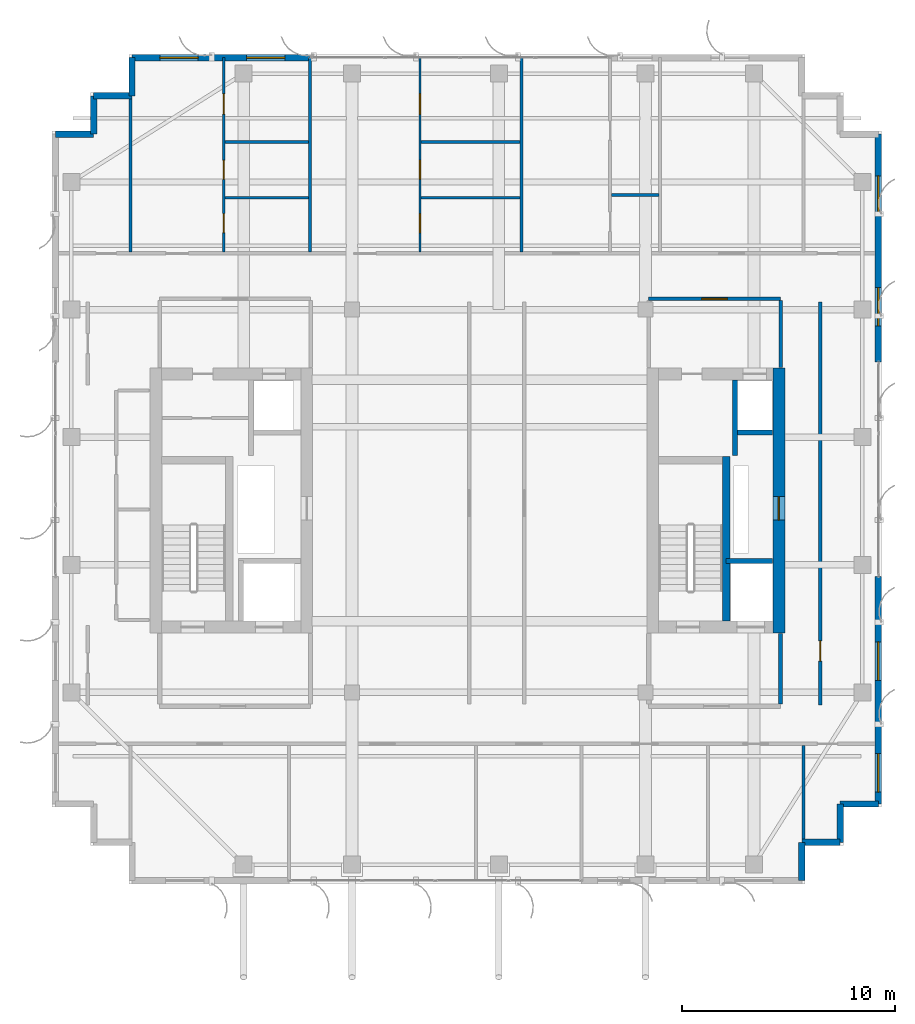
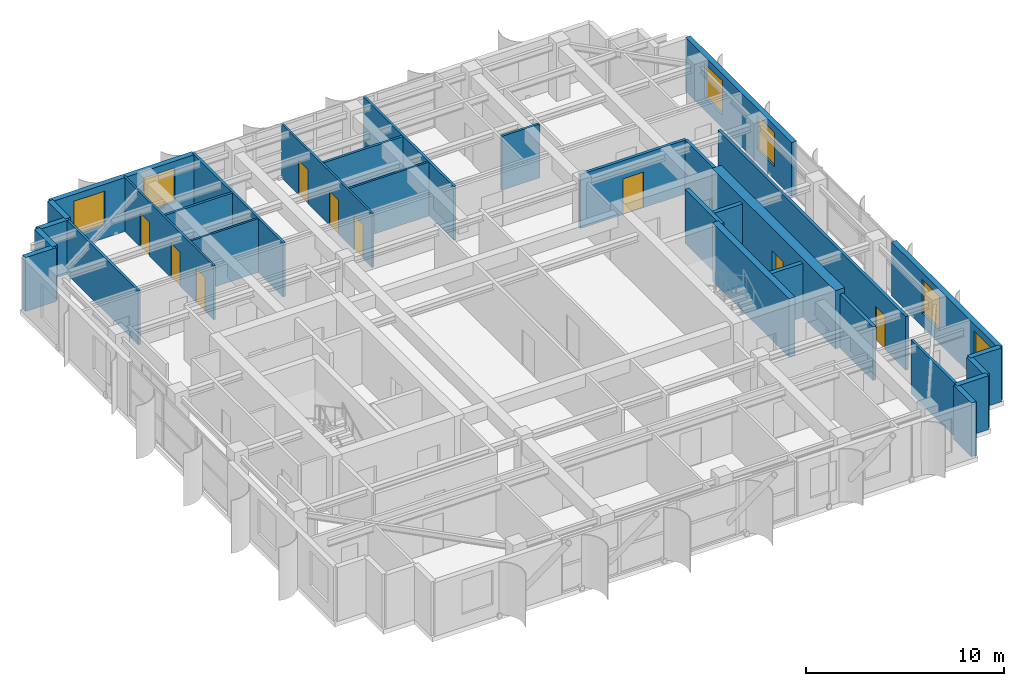
# One storey, part 19 of 22: 31 walls, 9 doors, 6 windows, 15 openings.
"""IFC4 building model written with IfcOpenShell, lengths in metres."""

from ifc_helpers import new_model, si_unit, direction, frame, frame_2d, origin, place, context, subcontext, project, spatial, rectangle, extrude, source, transform, mapped, material, layer, layer_set, type_object, element, fill, save


model = new_model("IFC4")

# Units and contexts
model_context = context("Model", 3, precision=1e-05, world=origin(), true_north=direction((0.0, 1.0)))
body_context = subcontext(model_context, "Body", "Model", "MODEL_VIEW")
ifc_project = project(units=[si_unit("LENGTHUNIT", "METRE"), si_unit("AREAUNIT", "SQUARE_METRE"), si_unit("VOLUMEUNIT", "CUBIC_METRE"), si_unit("PLANEANGLEUNIT", "RADIAN"), si_unit("MASSUNIT", "GRAM", prefix="KILO")], contexts=[model_context])

# Site, building, storey
site_placement = place(None, origin())
site = spatial("IfcSite", under=ifc_project, at=site_placement, CompositionType="ELEMENT")
building_placement = place(site_placement, origin())
building = spatial("IfcBuilding", under=site, at=building_placement, Name="Khoralis Quay Care Tower", CompositionType="ELEMENT")
storey_placement = place(building_placement, frame((0.0, 0.0, 278.10009765625)))
storey = spatial("IfcBuildingStorey", under=building, at=storey_placement, Name="L73", CompositionType="ELEMENT", Elevation=278.10009765625)

# Wall
ifc_material_1 = material(Name="Gypsum plasterboard on acoustic metal stud")
ifc_layer_1 = layer(ifc_material_1, 0.199951171875)
ifc_layer_set_1 = layer_set([ifc_layer_1], Name="Gypsum plasterboard on acoustic metal stud")
wall_type_1 = type_object("IfcWallType", Name="WL-COMP-200", PredefinedType="PARTITIONING", material=ifc_layer_set_1)
wall_1_placement = place(storey_placement, frame((37.25, 11.445068359375, 0.0), z_axis=(0.0, 0.0, 1.0), x_axis=(0.0, 1.0, 0.0)))
element("IfcWall", 1, at=wall_1_placement, inside=storey, type_object=wall_type_1, Name="L73 East Firefighting Lobby East Wall", PredefinedType="PARTITIONING", context=body_context, shape_type="SweptSolid", body=[
    extrude(rectangle(XDim=3.3349609375, YDim=0.199951171875, at=frame_2d((1.66748046875, 0.0))), origin(), (0.0, 0.0, 1.0), 3.31982421875),
])

# Wall, opening, door
ifc_material_2 = material(Name="Concrete C65/80", Category="concrete")
ifc_layer_2 = layer(ifc_material_2, 0.550048828125)
ifc_layer_set_2 = layer_set([ifc_layer_2], Name="Concrete C65/80")
wall_type_2 = type_object("IfcWallType", Name="WL-CORE-550", PredefinedType="SHEAR", material=ifc_layer_set_2)
wall_2_placement = place(storey_placement, frame((37.175048828125, 14.800048828125, 0.0), z_axis=(0.0, 0.0, 1.0), x_axis=(0.0, 1.0, 0.0)))
wall_2 = element("IfcWall", 2, at=wall_2_placement, inside=storey, type_object=wall_type_2, Name="L73 ECORE East Shear Wall", PredefinedType="SHEAR", context=body_context, shape_type="SweptSolid", body=[
    extrude(rectangle(XDim=12.449951171875, YDim=0.550048828125, at=frame_2d((6.22509765625, 0.0))), origin(), (0.0, 0.0, 1.0), 3.599853515625),
])
opening_1_placement = place(wall_2_placement, frame((5.300048828125, 0.0, 0.0)))
opening_1 = element("IfcOpeningElement", 3, at=opening_1_placement, cuts=wall_2, Name="Opening SD1", PredefinedType="OPENING", context=body_context, shape_type="SweptSolid", body=[
    extrude(rectangle(XDim=1.10009765625, YDim=2.199951171875, at=frame_2d((0.550048828125, 1.10009765625))), frame((0.0, 0.28515625, 0.0), z_axis=(0.0, -1.0, 0.0), x_axis=(1.0, 0.0, 0.0)), (0.0, 0.0, 1.0), 0.570068359375),
])
ifc_material_3 = material(Name="Fire-rated painted steel", Category="steel")
door_type_1 = type_object("IfcDoorType", Name="DR-STAIR-1100X2200", OperationType="NOTDEFINED", PredefinedType="DOOR", material=ifc_material_3)
shared_shape_1 = source(origin(), body_context, "Body", "SweptSolid", [
    extrude(rectangle(XDim=1.10009765625, YDim=2.199951171875, at=frame_2d((0.550048828125, 1.10009765625))), frame((0.0, 0.02490234375, 0.0), z_axis=(0.0, -1.0, 0.0), x_axis=(1.0, 0.0, 0.0)), (0.0, 0.0, 1.0), 0.050048828125),
])
door_1_placement = place(opening_1_placement, frame((1.10009765625, 0.0, 0.0), z_axis=(0.0, 0.0, 1.0), x_axis=(-1.0, 0.0, 0.0)))
door_1 = element("IfcDoor", 4, at=door_1_placement, inside=storey, type_object=door_type_1, Name="L73 East MEP Riser Door", OperationType="SINGLE_SWING_RIGHT", OverallHeight=2.199951171875, OverallWidth=1.10009765625, PredefinedType="DOOR", context=body_context, shape_type="MappedRepresentation", body=[
    mapped(shared_shape_1, transform((0.0, 0.0, 0.0), scale=1.0)),
])
fill(opening_1, door_1)

ifc_layer_3 = layer(ifc_material_1, 0.1650390625)
ifc_layer_set_3 = layer_set([ifc_layer_3], Name="Gypsum plasterboard on acoustic metal stud")
wall_type_3 = type_object("IfcWallType", Name="WL-CORR-165", PredefinedType="PARTITIONING", material=ifc_layer_set_3)
wall_3_placement = place(storey_placement, frame((31.050048828125, 30.5, 0.0), z_axis=(0.0, 0.0, 1.0), x_axis=(1.0, 0.0, 0.0)))
wall_3 = element("IfcWall", 5, at=wall_3_placement, inside=storey, type_object=wall_type_3, Name="L73 East Lift Lobby North Wall", PredefinedType="PARTITIONING", context=body_context, shape_type="SweptSolid", body=[
    extrude(rectangle(XDim=6.199951171875, YDim=0.1650390625, at=frame_2d((3.10009765625, 0.0))), origin(), (0.0, 0.0, 1.0), 3.31982421875),
])
opening_2_placement = place(wall_3_placement, frame((2.5, 0.0, 0.0)))
opening_2 = element("IfcOpeningElement", 6, at=opening_2_placement, cuts=wall_3, Name="Opening FD1", PredefinedType="OPENING", context=body_context, shape_type="SweptSolid", body=[
    extrude(rectangle(XDim=1.199951171875, YDim=2.199951171875, at=frame_2d((0.60009765625, 1.10009765625))), frame((0.0, 0.092529296875, 0.0), z_axis=(0.0, -1.0, 0.0), x_axis=(1.0, 0.0, 0.0)), (0.0, 0.0, 1.0), 0.18505859375),
])
door_type_2 = type_object("IfcDoorType", Name="DR-FFL-1200X2200", OperationType="NOTDEFINED", PredefinedType="DOOR", material=ifc_material_3)
shared_shape_2 = source(origin(), body_context, "Body", "SweptSolid", [
    extrude(rectangle(XDim=1.199951171875, YDim=2.199951171875, at=frame_2d((0.60009765625, 1.10009765625))), frame((0.0, 0.02490234375, 0.0), z_axis=(0.0, -1.0, 0.0), x_axis=(1.0, 0.0, 0.0)), (0.0, 0.0, 1.0), 0.050048828125),
])
door_2_placement = place(opening_2_placement, origin())
door_2 = element("IfcDoor", 7, at=door_2_placement, inside=storey, type_object=door_type_2, Name="L73 East Lift Lobby Double Door", OperationType="DOUBLE_DOOR_SINGLE_SWING", OverallHeight=2.199951171875, OverallWidth=1.199951171875, PredefinedType="DOOR", context=body_context, shape_type="MappedRepresentation", body=[
    mapped(shared_shape_2, transform((0.0, 0.0, 0.0), scale=1.0)),
])
fill(opening_2, door_2)

# Wall
wall_4_placement = place(storey_placement, frame((37.25, 27.27001953125, 0.0), z_axis=(0.0, 0.0, 1.0), x_axis=(0.0, 1.0, 0.0)))
element("IfcWall", 8, at=wall_4_placement, inside=storey, type_object=wall_type_3, Name="L73 East Lift Lobby East Wall", PredefinedType="PARTITIONING", context=body_context, shape_type="SweptSolid", body=[
    extrude(rectangle(XDim=3.152587890625, YDim=0.1650390625, at=frame_2d((1.576171875, 0.0))), origin(), (0.0, 0.0, 1.0), 3.31982421875),
])

# Wall, opening, door
wall_5_placement = place(storey_placement, frame((39.1201171875, 11.39990234375, 0.0), z_axis=(0.0, 0.0, 1.0), x_axis=(0.0, 1.0, 0.0)))
wall_5 = element("IfcWall", 9, at=wall_5_placement, inside=storey, type_object=wall_type_3, Name="L73 East Sky Suite Wall", PredefinedType="PARTITIONING", context=body_context, shape_type="SweptSolid", body=[
    extrude(rectangle(XDim=18.9501953125, YDim=0.1650390625, at=frame_2d((9.47509765625, 0.0))), origin(), (0.0, 0.0, 1.0), 3.31982421875),
])
opening_3_placement = place(wall_5_placement, frame((2.074951171875, 0.0, 0.0)))
opening_3 = element("IfcOpeningElement", 10, at=opening_3_placement, cuts=wall_5, Name="Opening ID1", PredefinedType="OPENING", context=body_context, shape_type="SweptSolid", body=[
    extrude(rectangle(XDim=0.949951171875, YDim=2.10009765625, at=frame_2d((0.47509765625, 1.050048828125))), frame((0.0, 0.092529296875, 0.0), z_axis=(0.0, -1.0, 0.0), x_axis=(1.0, 0.0, 0.0)), (0.0, 0.0, 1.0), 0.18505859375),
])
ifc_material_4 = material(Name="Acoustic hardwood timber", Category="wood")
door_type_3 = type_object("IfcDoorType", Name="DR-ROOM-950X2100", OperationType="NOTDEFINED", PredefinedType="DOOR", material=ifc_material_4)
shared_shape_3 = source(origin(), body_context, "Body", "SweptSolid", [
    extrude(rectangle(XDim=0.949951171875, YDim=2.10009765625, at=frame_2d((0.47509765625, 1.050048828125))), frame((0.0, 0.02490234375, 0.0), z_axis=(0.0, -1.0, 0.0), x_axis=(1.0, 0.0, 0.0)), (0.0, 0.0, 1.0), 0.050048828125),
])
door_3_placement = place(opening_3_placement, origin())
door_3 = element("IfcDoor", 11, at=door_3_placement, inside=storey, type_object=door_type_3, Name="L73 East Suite Door", OperationType="SINGLE_SWING_RIGHT", OverallHeight=2.10009765625, OverallWidth=0.949951171875, PredefinedType="DOOR", context=body_context, shape_type="MappedRepresentation", body=[
    mapped(shared_shape_3, transform((0.0, 0.0, 0.0), scale=1.0)),
])
fill(opening_3, door_3)

# Walls
ifc_material_5 = material(Name="Precast concrete C45/55", Category="concrete")
ifc_layer_4 = layer(ifc_material_5, 0.300048828125)
ifc_layer_set_4 = layer_set([ifc_layer_4], Name="Precast concrete C45/55")
wall_type_4 = type_object("IfcWallType", Name="WL-EXT-REF-300", PredefinedType="SOLIDWALL", material=ifc_layer_set_4)
for number, where, z_axis, x_axis, name in (
    (12, (38.25, 3.14990234375, 0.0), (0.0, 0.0, 1.0), (0.0, 1.0, 0.0), "L73 External Facade Wall WL-EXT-L73-P1-C1"),
    (13, (38.25, 4.949951171875, 0.0), (0.0, 0.0, 1.0), (1.0, 0.0, 0.0), "L73 External Facade Wall WL-EXT-L73-P1-C2"),
    (14, (40.050048828125, 4.949951171875, 0.0), (0.0, 0.0, 1.0), (0.0, 1.0, 0.0), "L73 External Facade Wall WL-EXT-L73-P1-C3"),
    (15, (40.050048828125, 6.75, 0.0), (0.0, 0.0, 1.0), (1.0, 0.0, 0.0), "L73 External Facade Wall WL-EXT-L73-P1-C4"),
):
    element("IfcWall", number, at=place(storey_placement, frame(where, z_axis=z_axis, x_axis=x_axis)), inside=storey, type_object=wall_type_4, Name=name, PredefinedType="SOLIDWALL", context=body_context, shape_type="SweptSolid", body=[
        extrude(rectangle(XDim=1.800048828125, YDim=0.300048828125, at=frame_2d((0.89990234375, 0.0))), origin(), (0.0, 0.0, 1.0), 3.31982421875),
    ])

# Wall, openings, windows
wall_6_placement = place(storey_placement, frame((41.85009765625, 6.75, 0.0), z_axis=(0.0, 0.0, 1.0), x_axis=(0.0, 1.0, 0.0)))
wall_6 = element("IfcWall", 16, at=wall_6_placement, inside=storey, type_object=wall_type_4, Name="L73 External Facade Wall WL-EXT-L73-P1-E5A", PredefinedType="SOLIDWALL", context=body_context, shape_type="SweptSolid", body=[
    extrude(rectangle(XDim=10.7099609375, YDim=0.300048828125, at=frame_2d((5.35498046875, 0.0))), origin(), (0.0, 0.0, 1.0), 3.31982421875),
])
opening_4_placement = place(wall_6_placement, frame((0.56494140625, 0.0, 0.800048828125)))
opening_4 = element("IfcOpeningElement", 17, at=opening_4_placement, cuts=wall_6, Name="Opening W2", PredefinedType="OPENING", context=body_context, shape_type="SweptSolid", body=[
    extrude(rectangle(XDim=1.800048828125, YDim=2.10009765625, at=frame_2d((0.89990234375, 1.050048828125))), frame((0.0, 0.16015625, 0.0), z_axis=(0.0, -1.0, 0.0), x_axis=(1.0, 0.0, 0.0)), (0.0, 0.0, 1.0), 0.320068359375),
])
opening_5_placement = place(wall_6_placement, frame((5.820068359375, 0.0, 0.800048828125)))
opening_5 = element("IfcOpeningElement", 18, at=opening_5_placement, cuts=wall_6, Name="Opening W2", PredefinedType="OPENING", context=body_context, shape_type="SweptSolid", body=[
    extrude(rectangle(XDim=1.800048828125, YDim=2.10009765625, at=frame_2d((0.89990234375, 1.050048828125))), frame((0.0, 0.16015625, 0.0), z_axis=(0.0, -1.0, 0.0), x_axis=(1.0, 0.0, 0.0)), (0.0, 0.0, 1.0), 0.320068359375),
])
ifc_material_6 = material(Name="Low-E solar-control double glazing", Category="glass")
window_type = type_object("IfcWindowType", Name="WN-POD-1800X2100", PartitioningType="SINGLE_PANEL", PredefinedType="WINDOW", material=ifc_material_6)
shared_shape_4 = source(origin(), body_context, "Body", "SweptSolid", [
    extrude(rectangle(XDim=1.800048828125, YDim=2.10009765625, at=frame_2d((0.89990234375, 1.050048828125))), frame((0.0, 0.030029296875, 0.0), z_axis=(0.0, -1.0, 0.0), x_axis=(1.0, 0.0, 0.0)), (0.0, 0.0, 1.0), 0.06005859375),
])
window_1_placement = place(opening_4_placement, origin())
window_1 = element("IfcWindow", 19, at=window_1_placement, inside=storey, type_object=window_type, Name="WN-L73-P1-E5A Facade Window 01", OverallHeight=2.10009765625, OverallWidth=1.800048828125, PartitioningType="SINGLE_PANEL", PredefinedType="WINDOW", context=body_context, shape_type="MappedRepresentation", body=[
    mapped(shared_shape_4, transform((0.0, 0.0, 0.0), scale=1.0)),
])
fill(opening_4, window_1)
window_2_placement = place(opening_5_placement, origin())
window_2 = element("IfcWindow", 20, at=window_2_placement, inside=storey, type_object=window_type, Name="WN-L73-P1-E5A Facade Window 02", OverallHeight=2.10009765625, OverallWidth=1.800048828125, PartitioningType="SINGLE_PANEL", PredefinedType="WINDOW", context=body_context, shape_type="MappedRepresentation", body=[
    mapped(shared_shape_4, transform((0.0, 0.0, 0.0), scale=1.0)),
])
fill(opening_5, window_2)

wall_7_placement = place(storey_placement, frame((41.85009765625, 27.5400390625, 0.0), z_axis=(0.0, 0.0, 1.0), x_axis=(0.0, 1.0, 0.0)))
wall_7 = element("IfcWall", 21, at=wall_7_placement, inside=storey, type_object=wall_type_4, Name="L73 External Facade Wall WL-EXT-L73-P1-E5B", PredefinedType="SOLIDWALL", context=body_context, shape_type="SweptSolid", body=[
    extrude(rectangle(XDim=10.7099609375, YDim=0.300048828125, at=frame_2d((5.35498046875, 0.0))), origin(), (0.0, 0.0, 1.0), 3.31982421875),
])
opening_6_placement = place(wall_7_placement, frame((1.699951171875, 0.0, 0.800048828125)))
opening_6 = element("IfcOpeningElement", 22, at=opening_6_placement, cuts=wall_7, Name="Opening W2", PredefinedType="OPENING", context=body_context, shape_type="SweptSolid", body=[
    extrude(rectangle(XDim=1.800048828125, YDim=2.10009765625, at=frame_2d((0.89990234375, 1.050048828125))), frame((0.0, 0.16015625, 0.0), z_axis=(0.0, -1.0, 0.0), x_axis=(1.0, 0.0, 0.0)), (0.0, 0.0, 1.0), 0.320068359375),
])
opening_7_placement = place(wall_7_placement, frame((6.955078125, 0.0, 0.800048828125)))
opening_7 = element("IfcOpeningElement", 23, at=opening_7_placement, cuts=wall_7, Name="Opening W2", PredefinedType="OPENING", context=body_context, shape_type="SweptSolid", body=[
    extrude(rectangle(XDim=1.800048828125, YDim=2.10009765625, at=frame_2d((0.89990234375, 1.050048828125))), frame((0.0, 0.16015625, 0.0), z_axis=(0.0, -1.0, 0.0), x_axis=(1.0, 0.0, 0.0)), (0.0, 0.0, 1.0), 0.320068359375),
])
window_3_placement = place(opening_6_placement, origin())
window_3 = element("IfcWindow", 24, at=window_3_placement, inside=storey, type_object=window_type, Name="WN-L73-P1-E5B Facade Window 01", OverallHeight=2.10009765625, OverallWidth=1.800048828125, PartitioningType="SINGLE_PANEL", PredefinedType="WINDOW", context=body_context, shape_type="MappedRepresentation", body=[
    mapped(shared_shape_4, transform((0.0, 0.0, 0.0), scale=1.0)),
])
fill(opening_6, window_3)
window_4_placement = place(opening_7_placement, origin())
window_4 = element("IfcWindow", 25, at=window_4_placement, inside=storey, type_object=window_type, Name="WN-L73-P1-E5B Facade Window 02", OverallHeight=2.10009765625, OverallWidth=1.800048828125, PartitioningType="SINGLE_PANEL", PredefinedType="WINDOW", context=body_context, shape_type="MappedRepresentation", body=[
    mapped(shared_shape_4, transform((0.0, 0.0, 0.0), scale=1.0)),
])
fill(opening_7, window_4)

wall_8_placement = place(storey_placement, frame((15.1201171875, 41.85009765625, 0.0), z_axis=(0.0, 0.0, 1.0), x_axis=(-1.0, 0.0, 0.0)))
wall_8 = element("IfcWall", 26, at=wall_8_placement, inside=storey, type_object=wall_type_4, Name="L73 External Facade Wall WL-EXT-L73-P1-E10B", PredefinedType="SOLIDWALL", context=body_context, shape_type="SweptSolid", body=[
    extrude(rectangle(XDim=8.3701171875, YDim=0.300048828125, at=frame_2d((4.18505859375, 0.0))), origin(), (0.0, 0.0, 1.0), 3.31982421875),
])
opening_8_placement = place(wall_8_placement, frame((1.175537109375, 0.0, 0.800048828125)))
opening_8 = element("IfcOpeningElement", 27, at=opening_8_placement, cuts=wall_8, Name="Opening W2", PredefinedType="OPENING", context=body_context, shape_type="SweptSolid", body=[
    extrude(rectangle(XDim=1.800048828125, YDim=2.10009765625, at=frame_2d((0.89990234375, 1.050048828125))), frame((0.0, 0.16015625, 0.0), z_axis=(0.0, -1.0, 0.0), x_axis=(1.0, 0.0, 0.0)), (0.0, 0.0, 1.0), 0.320068359375),
])
opening_9_placement = place(wall_8_placement, frame((5.260498046875, 0.0, 0.800048828125)))
opening_9 = element("IfcOpeningElement", 28, at=opening_9_placement, cuts=wall_8, Name="Opening W2", PredefinedType="OPENING", context=body_context, shape_type="SweptSolid", body=[
    extrude(rectangle(XDim=1.800048828125, YDim=2.10009765625, at=frame_2d((0.89990234375, 1.050048828125))), frame((0.0, 0.16015625, 0.0), z_axis=(0.0, -1.0, 0.0), x_axis=(1.0, 0.0, 0.0)), (0.0, 0.0, 1.0), 0.320068359375),
])
window_5_placement = place(opening_8_placement, origin())
window_5 = element("IfcWindow", 29, at=window_5_placement, inside=storey, type_object=window_type, Name="WN-L73-P1-E10B Facade Window 01", OverallHeight=2.10009765625, OverallWidth=1.800048828125, PartitioningType="SINGLE_PANEL", PredefinedType="WINDOW", context=body_context, shape_type="MappedRepresentation", body=[
    mapped(shared_shape_4, transform((0.0, 0.0, 0.0), scale=1.0)),
])
fill(opening_8, window_5)
window_6_placement = place(opening_9_placement, origin())
window_6 = element("IfcWindow", 30, at=window_6_placement, inside=storey, type_object=window_type, Name="WN-L73-P1-E10B Facade Window 02", OverallHeight=2.10009765625, OverallWidth=1.800048828125, PartitioningType="SINGLE_PANEL", PredefinedType="WINDOW", context=body_context, shape_type="MappedRepresentation", body=[
    mapped(shared_shape_4, transform((0.0, 0.0, 0.0), scale=1.0)),
])
fill(opening_9, window_6)

# Walls
for number, where, z_axis, x_axis, name in (
    (31, (6.75, 41.85009765625, 0.0), (0.0, 0.0, 1.0), (0.0, -1.0, 0.0), "L73 External Facade Wall WL-EXT-L73-P1-C11"),
    (32, (6.75, 40.050048828125, 0.0), (0.0, 0.0, 1.0), (-1.0, 0.0, 0.0), "L73 External Facade Wall WL-EXT-L73-P1-C12"),
    (33, (4.949951171875, 40.050048828125, 0.0), (0.0, 0.0, 1.0), (0.0, -1.0, 0.0), "L73 External Facade Wall WL-EXT-L73-P1-C13"),
    (34, (4.949951171875, 38.25, 0.0), (0.0, 0.0, 1.0), (-1.0, 0.0, 0.0), "L73 External Facade Wall WL-EXT-L73-P1-C14"),
):
    element("IfcWall", number, at=place(storey_placement, frame(where, z_axis=z_axis, x_axis=x_axis)), inside=storey, type_object=wall_type_4, Name=name, PredefinedType="SOLIDWALL", context=body_context, shape_type="SweptSolid", body=[
        extrude(rectangle(XDim=1.800048828125, YDim=0.300048828125, at=frame_2d((0.89990234375, 0.0))), origin(), (0.0, 0.0, 1.0), 3.31982421875),
    ])

# Wall, openings, doors
ifc_layer_5 = layer(ifc_material_1, 0.114990234375)
ifc_layer_set_5 = layer_set([ifc_layer_5], Name="Gypsum plasterboard on acoustic metal stud")
wall_type_5 = type_object("IfcWallType", Name="WL-PART-115", PredefinedType="PARTITIONING", material=ifc_layer_set_5)
wall_9_placement = place(storey_placement, frame((11.069091796875, 32.717529296875, 0.0), z_axis=(0.0, 0.0, 1.0), x_axis=(0.0, 1.0, 0.0)))
wall_9 = element("IfcWall", 35, at=wall_9_placement, inside=storey, type_object=wall_type_5, Name="L73 Unit 0 Internal Wall", PredefinedType="PARTITIONING", context=body_context, shape_type="SweptSolid", body=[
    extrude(rectangle(XDim=9.137451171875, YDim=0.114990234375, at=frame_2d((4.56884765625, 0.0))), origin(), (0.0, 0.0, 1.0), 3.31982421875),
])
opening_10_placement = place(wall_9_placement, frame((6.473388671875, 0.0, 0.0)))
opening_10 = element("IfcOpeningElement", 36, at=opening_10_placement, cuts=wall_9, Name="Opening ID1", PredefinedType="OPENING", context=body_context, shape_type="SweptSolid", body=[
    extrude(rectangle(XDim=0.949951171875, YDim=2.10009765625, at=frame_2d((0.47509765625, 1.050048828125))), frame((0.0, 0.0673828125, 0.0), z_axis=(0.0, -1.0, 0.0), x_axis=(1.0, 0.0, 0.0)), (0.0, 0.0, 1.0), 0.135009765625),
])
opening_11_placement = place(wall_9_placement, frame((3.404052734375, 0.0, 0.0)))
opening_11 = element("IfcOpeningElement", 37, at=opening_11_placement, cuts=wall_9, Name="Opening WD1", PredefinedType="OPENING", context=body_context, shape_type="SweptSolid", body=[
    extrude(rectangle(XDim=0.89990234375, YDim=2.10009765625, at=frame_2d((0.449951171875, 1.050048828125))), frame((0.0, 0.0673828125, 0.0), z_axis=(0.0, -1.0, 0.0), x_axis=(1.0, 0.0, 0.0)), (0.0, 0.0, 1.0), 0.135009765625),
])
opening_12_placement = place(wall_9_placement, frame((0.89794921875, 0.0, 0.0)))
opening_12 = element("IfcOpeningElement", 38, at=opening_12_placement, cuts=wall_9, Name="Opening WD1", PredefinedType="OPENING", context=body_context, shape_type="SweptSolid", body=[
    extrude(rectangle(XDim=0.89990234375, YDim=2.10009765625, at=frame_2d((0.449951171875, 1.050048828125))), frame((0.0, 0.0673828125, 0.0), z_axis=(0.0, -1.0, 0.0), x_axis=(1.0, 0.0, 0.0)), (0.0, 0.0, 1.0), 0.135009765625),
])
door_type_4 = type_object("IfcDoorType", Name="DR-BATH-900X2100", OperationType="NOTDEFINED", PredefinedType="DOOR", material=ifc_material_4)
shared_shape_5 = source(origin(), body_context, "Body", "SweptSolid", [
    extrude(rectangle(XDim=0.89990234375, YDim=2.10009765625, at=frame_2d((0.449951171875, 1.050048828125))), frame((0.0, 0.02490234375, 0.0), z_axis=(0.0, -1.0, 0.0), x_axis=(1.0, 0.0, 0.0)), (0.0, 0.0, 1.0), 0.050048828125),
])
door_4_placement = place(opening_11_placement, frame((0.89990234375, 0.0, 0.0), z_axis=(0.0, 0.0, 1.0), x_axis=(-1.0, 0.0, 0.0)))
door_4 = element("IfcDoor", 39, at=door_4_placement, inside=storey, type_object=door_type_4, Name="L73 Apartment NB0 KIT Door", OperationType="SINGLE_SWING_LEFT", OverallHeight=2.10009765625, OverallWidth=0.89990234375, PredefinedType="DOOR", context=body_context, shape_type="MappedRepresentation", body=[
    mapped(shared_shape_5, transform((0.0, 0.0, 0.0), scale=1.0)),
])
fill(opening_11, door_4)
door_5_placement = place(opening_12_placement, frame((0.89990234375, 0.0, 0.0), z_axis=(0.0, 0.0, 1.0), x_axis=(-1.0, 0.0, 0.0)))
door_5 = element("IfcDoor", 40, at=door_5_placement, inside=storey, type_object=door_type_4, Name="L73 Apartment NB0 BTH Door", OperationType="SINGLE_SWING_RIGHT", OverallHeight=2.10009765625, OverallWidth=0.89990234375, PredefinedType="DOOR", context=body_context, shape_type="MappedRepresentation", body=[
    mapped(shared_shape_5, transform((0.0, 0.0, 0.0), scale=1.0)),
])
fill(opening_12, door_5)
door_6_placement = place(opening_10_placement, frame((0.949951171875, 0.0, 0.0), z_axis=(0.0, 0.0, 1.0), x_axis=(-1.0, 0.0, 0.0)))
door_6 = element("IfcDoor", 41, at=door_6_placement, inside=storey, type_object=door_type_3, Name="L73 Apartment NB0 BED Door", OperationType="SINGLE_SWING_RIGHT", OverallHeight=2.10009765625, OverallWidth=0.949951171875, PredefinedType="DOOR", context=body_context, shape_type="MappedRepresentation", body=[
    mapped(shared_shape_3, transform((0.0, 0.0, 0.0), scale=1.0)),
])
fill(opening_10, door_6)

# Wall
wall_10_placement = place(storey_placement, frame((11.12158203125, 35.260986328125, 0.0), z_axis=(0.0, 0.0, 1.0), x_axis=(1.0, 0.0, 0.0)))
element("IfcWall", 42, at=wall_10_placement, inside=storey, type_object=wall_type_5, Name="L73 Unit 0 Kitchen Wall", PredefinedType="PARTITIONING", context=body_context, shape_type="SweptSolid", body=[
    extrude(rectangle(XDim=3.933349609375, YDim=0.114990234375, at=frame_2d((1.966796875, 0.0))), origin(), (0.0, 0.0, 1.0), 3.31982421875),
])

# Wall, openings, doors
wall_11_placement = place(storey_placement, frame((20.2939453125, 32.717529296875, 0.0), z_axis=(0.0, 0.0, 1.0), x_axis=(0.0, 1.0, 0.0)))
wall_11 = element("IfcWall", 43, at=wall_11_placement, inside=storey, type_object=wall_type_5, Name="L73 Unit 1 Internal Wall", PredefinedType="PARTITIONING", context=body_context, shape_type="SweptSolid", body=[
    extrude(rectangle(XDim=9.137451171875, YDim=0.114990234375, at=frame_2d((4.56884765625, 0.0))), origin(), (0.0, 0.0, 1.0), 3.31982421875),
])
opening_13_placement = place(wall_11_placement, frame((6.473388671875, 0.0, 0.0)))
opening_13 = element("IfcOpeningElement", 44, at=opening_13_placement, cuts=wall_11, Name="Opening ID1", PredefinedType="OPENING", context=body_context, shape_type="SweptSolid", body=[
    extrude(rectangle(XDim=0.949951171875, YDim=2.10009765625, at=frame_2d((0.47509765625, 1.050048828125))), frame((0.0, 0.0673828125, 0.0), z_axis=(0.0, -1.0, 0.0), x_axis=(1.0, 0.0, 0.0)), (0.0, 0.0, 1.0), 0.135009765625),
])
opening_14_placement = place(wall_11_placement, frame((3.404052734375, 0.0, 0.0)))
opening_14 = element("IfcOpeningElement", 45, at=opening_14_placement, cuts=wall_11, Name="Opening WD1", PredefinedType="OPENING", context=body_context, shape_type="SweptSolid", body=[
    extrude(rectangle(XDim=0.89990234375, YDim=2.10009765625, at=frame_2d((0.449951171875, 1.050048828125))), frame((0.0, 0.0673828125, 0.0), z_axis=(0.0, -1.0, 0.0), x_axis=(1.0, 0.0, 0.0)), (0.0, 0.0, 1.0), 0.135009765625),
])
opening_15_placement = place(wall_11_placement, frame((0.89794921875, 0.0, 0.0)))
opening_15 = element("IfcOpeningElement", 46, at=opening_15_placement, cuts=wall_11, Name="Opening WD1", PredefinedType="OPENING", context=body_context, shape_type="SweptSolid", body=[
    extrude(rectangle(XDim=0.89990234375, YDim=2.10009765625, at=frame_2d((0.449951171875, 1.050048828125))), frame((0.0, 0.0673828125, 0.0), z_axis=(0.0, -1.0, 0.0), x_axis=(1.0, 0.0, 0.0)), (0.0, 0.0, 1.0), 0.135009765625),
])
door_7_placement = place(opening_14_placement, frame((0.89990234375, 0.0, 0.0), z_axis=(0.0, 0.0, 1.0), x_axis=(-1.0, 0.0, 0.0)))
door_7 = element("IfcDoor", 47, at=door_7_placement, inside=storey, type_object=door_type_4, Name="L73 Apartment NB1 KIT Door", OperationType="SINGLE_SWING_RIGHT", OverallHeight=2.10009765625, OverallWidth=0.89990234375, PredefinedType="DOOR", context=body_context, shape_type="MappedRepresentation", body=[
    mapped(shared_shape_5, transform((0.0, 0.0, 0.0), scale=1.0)),
])
fill(opening_14, door_7)
door_8_placement = place(opening_15_placement, frame((0.89990234375, 0.0, 0.0), z_axis=(0.0, 0.0, 1.0), x_axis=(-1.0, 0.0, 0.0)))
door_8 = element("IfcDoor", 48, at=door_8_placement, inside=storey, type_object=door_type_4, Name="L73 Apartment NB1 BTH Door", OperationType="SINGLE_SWING_LEFT", OverallHeight=2.10009765625, OverallWidth=0.89990234375, PredefinedType="DOOR", context=body_context, shape_type="MappedRepresentation", body=[
    mapped(shared_shape_5, transform((0.0, 0.0, 0.0), scale=1.0)),
])
fill(opening_15, door_8)
door_9_placement = place(opening_13_placement, frame((0.949951171875, 0.0, 0.0), z_axis=(0.0, 0.0, 1.0), x_axis=(-1.0, 0.0, 0.0)))
door_9 = element("IfcDoor", 49, at=door_9_placement, inside=storey, type_object=door_type_3, Name="L73 Apartment NB1 BED Door", OperationType="SINGLE_SWING_LEFT", OverallHeight=2.10009765625, OverallWidth=0.949951171875, PredefinedType="DOOR", context=body_context, shape_type="MappedRepresentation", body=[
    mapped(shared_shape_3, transform((0.0, 0.0, 0.0), scale=1.0)),
])
fill(opening_13, door_9)

# Walls
wall_12_placement = place(storey_placement, frame((20.346435546875, 35.260986328125, 0.0), z_axis=(0.0, 0.0, 1.0), x_axis=(1.0, 0.0, 0.0)))
element("IfcWall", 50, at=wall_12_placement, inside=storey, type_object=wall_type_5, Name="L73 Unit 1 Kitchen Wall", PredefinedType="PARTITIONING", context=body_context, shape_type="SweptSolid", body=[
    extrude(rectangle(XDim=4.658447265625, YDim=0.114990234375, at=frame_2d((2.3291015625, 0.0))), origin(), (0.0, 0.0, 1.0), 3.31982421875),
])
ifc_material_7 = material(Name="Moisture-resistant gypsum and ceramic tile")
ifc_layer_6 = layer(ifc_material_7, 0.280029296875)
ifc_layer_set_6 = layer_set([ifc_layer_6], Name="Moisture-resistant gypsum and ceramic tile")
wall_type_6 = type_object("IfcWallType", Name="WL-PLUMB-280", PredefinedType="PLUMBINGWALL", material=ifc_layer_set_6)
wall_13_placement = place(storey_placement, frame((11.12158203125, 37.882080078125, 0.0), z_axis=(0.0, 0.0, 1.0), x_axis=(1.0, 0.0, 0.0)))
element("IfcWall", 51, at=wall_13_placement, inside=storey, type_object=wall_type_6, Name="L73 Unit 0 Wet Wall", PredefinedType="PLUMBINGWALL", context=body_context, shape_type="SweptSolid", body=[
    extrude(rectangle(XDim=3.933349609375, YDim=0.139892578125, at=frame_2d((1.966796875, 0.0))), origin(), (0.0, 0.0, 1.0), 3.31982421875),
])
wall_14_placement = place(storey_placement, frame((20.346435546875, 37.882080078125, 0.0), z_axis=(0.0, 0.0, 1.0), x_axis=(1.0, 0.0, 0.0)))
element("IfcWall", 52, at=wall_14_placement, inside=storey, type_object=wall_type_6, Name="L73 Unit 1 Wet Wall", PredefinedType="PLUMBINGWALL", context=body_context, shape_type="SweptSolid", body=[
    extrude(rectangle(XDim=4.658447265625, YDim=0.139892578125, at=frame_2d((2.3291015625, 0.0))), origin(), (0.0, 0.0, 1.0), 3.31982421875),
])
wall_15_placement = place(storey_placement, frame((29.304931640625, 35.389892578125, 0.0), z_axis=(0.0, 0.0, 1.0), x_axis=(1.0, 0.0, 0.0)))
element("IfcWall", 53, at=wall_15_placement, inside=storey, type_object=wall_type_6, Name="L73 Care Suite 2 En-Suite Wall H", PredefinedType="PLUMBINGWALL", context=body_context, shape_type="SweptSolid", body=[
    extrude(rectangle(XDim=2.219970703125, YDim=0.139892578125, at=frame_2d((1.10986328125, 0.0))), origin(), (0.0, 0.0, 1.0), 3.31982421875),
])
ifc_material_8 = material(Name="Concrete C40/50", Category="concrete")
ifc_layer_7 = layer(ifc_material_8, 0.35009765625)
ifc_layer_set_7 = layer_set([ifc_layer_7], Name="Concrete C40/50")
wall_type_7 = type_object("IfcWallType", Name="WL-SC-CORE-350", PredefinedType="SHEAR", material=ifc_layer_set_7)
wall_16_placement = place(storey_placement, frame((34.695068359375, 15.35009765625, 0.0), z_axis=(0.0, 0.0, 1.0), x_axis=(0.0, 1.0, 0.0)))
element("IfcWall", 54, at=wall_16_placement, inside=storey, type_object=wall_type_7, Name="L73 Stair ST-T2 Shear Baffle Wall East", PredefinedType="SHEAR", context=body_context, shape_type="SweptSolid", body=[
    extrude(rectangle(XDim=7.75, YDim=0.35009765625, at=frame_2d((3.875, 0.0))), origin(), (0.0, 0.0, 1.0), 3.599853515625),
])
ifc_layer_8 = layer(ifc_material_1, 0.239990234375)
ifc_layer_set_8 = layer_set([ifc_layer_8], Name="Gypsum plasterboard on acoustic metal stud")
wall_type_8 = type_object("IfcWallType", Name="WL-SHAFT-240", PredefinedType="PARTITIONING", material=ifc_layer_set_8)
wall_17_placement = place(storey_placement, frame((34.679931640625, 18.169921875, 0.0), z_axis=(0.0, 0.0, 1.0), x_axis=(1.0, 0.0, 0.0)))
element("IfcWall", 55, at=wall_17_placement, inside=storey, type_object=wall_type_8, Name="L73 FFL-2 Shaft Wall North", PredefinedType="PARTITIONING", context=body_context, shape_type="SweptSolid", body=[
    extrude(rectangle(XDim=2.199951171875, YDim=0.239990234375, at=frame_2d((1.10009765625, 0.0))), origin(), (0.0, 0.0, 1.0), 3.31982421875),
])
wall_18_placement = place(storey_placement, frame((35.110107421875, 23.139892578125, 0.0), z_axis=(0.0, 0.0, 1.0), x_axis=(0.0, 1.0, 0.0)))
element("IfcWall", 56, at=wall_18_placement, inside=storey, type_object=wall_type_8, Name="L73 High-Rise Reclaimed Bay Wall East", PredefinedType="PARTITIONING", context=body_context, shape_type="SweptSolid", body=[
    extrude(rectangle(XDim=3.5400390625, YDim=0.239990234375, at=frame_2d((1.77001953125, 0.0))), origin(), (0.0, 0.0, 1.0), 3.31982421875),
])
wall_19_placement = place(storey_placement, frame((35.22509765625, 24.22998046875, 0.0), z_axis=(0.0, 0.0, 1.0), x_axis=(1.0, 0.0, 0.0)))
element("IfcWall", 57, at=wall_19_placement, inside=storey, type_object=wall_type_8, Name="L73 High-Rise Shaft South Wall East", PredefinedType="PARTITIONING", context=body_context, shape_type="SweptSolid", body=[
    extrude(rectangle(XDim=1.65478515625, YDim=0.239990234375, at=frame_2d((0.827392578125, 0.0))), origin(), (0.0, 0.0, 1.0), 3.31982421875),
])
ifc_layer_9 = layer(ifc_material_1, 0.139892578125)
ifc_layer_set_9 = layer_set([ifc_layer_9], Name="Gypsum plasterboard on acoustic metal stud")
wall_type_9 = type_object("IfcWallType", Name="WL-UNIT-140", PredefinedType="PARTITIONING", material=ifc_layer_set_9)
wall_20_placement = place(storey_placement, frame((38.320068359375, 4.945068359375, 0.0), z_axis=(0.0, 0.0, 1.0), x_axis=(0.0, 1.0, 0.0)))
element("IfcWall", 58, at=wall_20_placement, inside=storey, type_object=wall_type_9, Name="L73 SB Demising Wall 5", PredefinedType="PARTITIONING", context=body_context, shape_type="SweptSolid", body=[
    extrude(rectangle(XDim=4.557373046875, YDim=0.139892578125, at=frame_2d((2.27880859375, 0.0))), origin(), (0.0, 0.0, 1.0), 3.31982421875),
])
wall_21_placement = place(storey_placement, frame((6.679931640625, 32.717529296875, 0.0), z_axis=(0.0, 0.0, 1.0), x_axis=(0.0, 1.0, 0.0)))
element("IfcWall", 59, at=wall_21_placement, inside=storey, type_object=wall_type_9, Name="L73 NB Demising Wall 0", PredefinedType="PARTITIONING", context=body_context, shape_type="SweptSolid", body=[
    extrude(rectangle(XDim=7.33740234375, YDim=0.139892578125, at=frame_2d((3.668701171875, 0.0))), origin(), (0.0, 0.0, 1.0), 3.31982421875),
])
for number, where, z_axis, x_axis, name in (
    (60, (15.1201171875, 32.717529296875, 0.0), (0.0, 0.0, 1.0), (0.0, 1.0, 0.0), "L73 NB Demising Wall 1"),
    (61, (25.070068359375, 32.717529296875, 0.0), (0.0, 0.0, 1.0), (0.0, 1.0, 0.0), "L73 NB Demising Wall 2"),
):
    element("IfcWall", number, at=place(storey_placement, frame(where, z_axis=z_axis, x_axis=x_axis)), inside=storey, type_object=wall_type_9, Name=name, PredefinedType="PARTITIONING", context=body_context, shape_type="SweptSolid", body=[
        extrude(rectangle(XDim=9.137451171875, YDim=0.139892578125, at=frame_2d((4.56884765625, 0.0))), origin(), (0.0, 0.0, 1.0), 3.31982421875),
    ])

save(model, "model.ifc")
